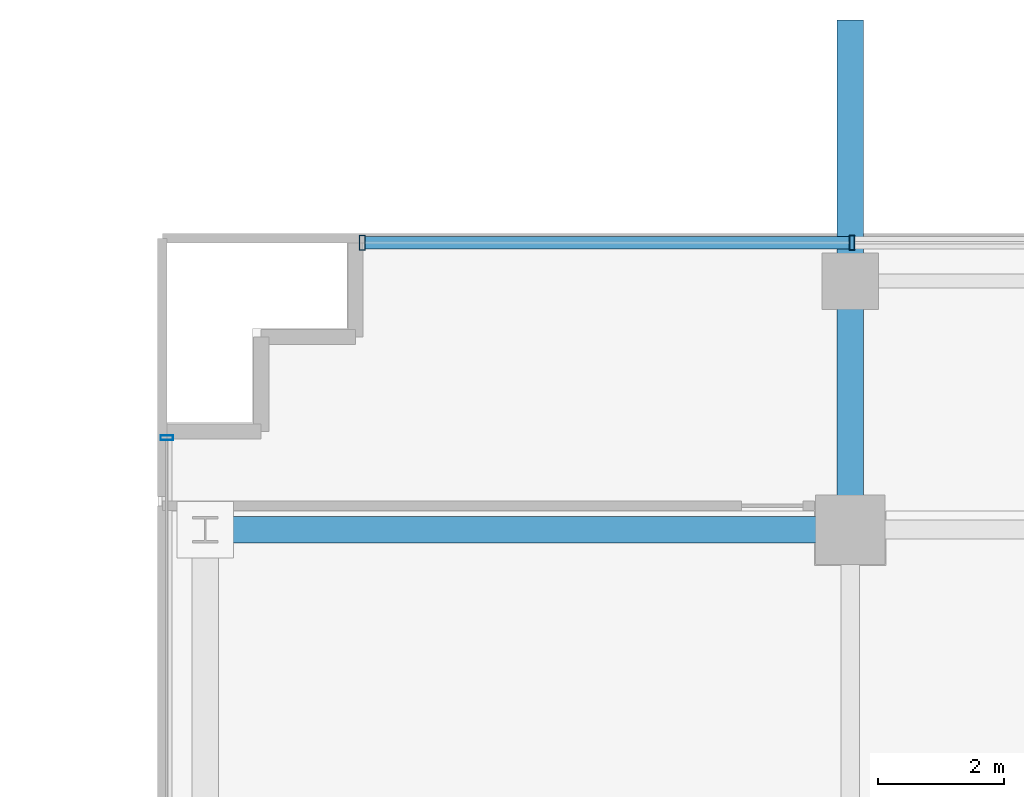
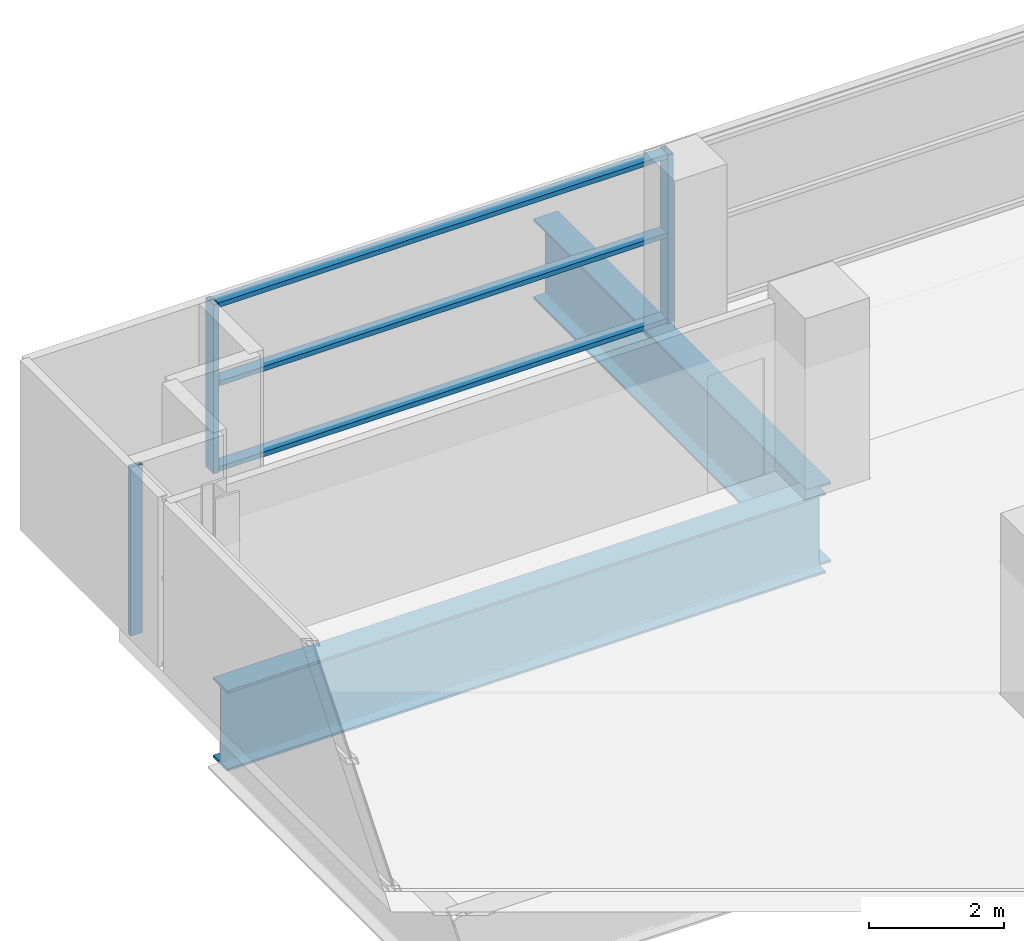
# One storey, part 17 of 32: 6 members, 2 beams, 2 elements without a shape of their own.
"""IFC4 building model written with IfcOpenShell, lengths in metres."""

from ifc_helpers import new_model, si_unit, direction, frame, origin, origin_2d, place, context, subcontext, project, spatial, hollow_rectangle, i_section, extrude, source, transform, mapped, material, layer, layer_set, material_profile, profile_set, type_object, element, aggregate, save


model = new_model("IFC4")

# Units and contexts
model_context = context("Model", 3, precision=1e-05, world=origin(), true_north=direction((0.0, 1.0)))
body_context = subcontext(model_context, "Body", "Model", "MODEL_VIEW")
ifc_project = project(units=[si_unit("LENGTHUNIT", "METRE"), si_unit("AREAUNIT", "SQUARE_METRE"), si_unit("VOLUMEUNIT", "CUBIC_METRE"), si_unit("PLANEANGLEUNIT", "RADIAN"), si_unit("MASSUNIT", "GRAM", prefix="KILO")], contexts=[model_context])

# Site, building, storey
site_placement = place(None, origin())
site = spatial("IfcSite", under=ifc_project, at=site_placement, CompositionType="ELEMENT")
building_placement = place(site_placement, origin())
building = spatial("IfcBuilding", under=site, at=building_placement, Name="Zarnakvel Exchange Tower", CompositionType="ELEMENT")
storey_placement = place(building_placement, frame((0.0, 0.0, 27.39990234375)))
storey = spatial("IfcBuildingStorey", under=building, at=storey_placement, Name="L06", CompositionType="ELEMENT", Elevation=27.39990234375)

# Beams
ifc_material_1 = material(Name="Steel S460", Category="steel")
ifc_material_profile_1 = material_profile(ifc_material_1, i_section(OverallWidth=0.419921875, OverallDepth=1.449951171875, WebThickness=0.02392578125, FlangeThickness=0.0400390625, FilletRadius=0.030029296875, at=origin_2d()))
ifc_profile_set_1 = profile_set([ifc_material_profile_1], Name="Steel S460")
beam_type = type_object("IfcBeamType", Name="TG-01", PredefinedType="BEAM", material=ifc_profile_set_1)
beam_1_placement = place(storey_placement, frame((-31.85009765625, 13.5, -0.974853515625), z_axis=(1.0, 0.0, 0.0), x_axis=(0.0, 1.0, 0.0)))
element("IfcBeam", 1, at=beam_1_placement, inside=storey, type_object=beam_type, Name="L06 Wing Continuous Transfer Girder West", PredefinedType="BEAM", context=body_context, shape_type="SweptSolid", body=[
    extrude(i_section(OverallWidth=0.419921875, OverallDepth=1.449951171875, WebThickness=0.02392578125, FlangeThickness=0.0400390625, FilletRadius=0.030029296875, at=origin_2d()), origin(), (0.0, 0.0, 1.0), 10.25),
])
beam_2_placement = place(storey_placement, frame((-21.60009765625, 13.5, -0.974853515625), z_axis=(0.0, 1.0, 0.0), x_axis=(-1.0, 0.0, 0.0)))
element("IfcBeam", 2, at=beam_2_placement, inside=storey, type_object=beam_type, Name="L06 Setback N-S Transfer Girder TN-3", PredefinedType="BEAM", context=body_context, shape_type="SweptSolid", body=[
    extrude(i_section(OverallWidth=0.419921875, OverallDepth=1.449951171875, WebThickness=0.02392578125, FlangeThickness=0.0400390625, FilletRadius=0.030029296875, at=origin_2d()), origin(), (0.0, 0.0, 1.0), 8.10009765625),
])

# Curtain wall, members
ifc_material_2 = material(Name="Architectural Bronze Anodised Aluminium", Category="aluminium")
ifc_layer_1 = layer(ifc_material_2, 0.239990234375)
ifc_layer_set_1 = layer_set([ifc_layer_1], Name="Architectural Bronze Anodised Aluminium")
curtain_wall_type_1 = type_object("IfcCurtainWallType", Name="CW-02", PredefinedType="NOTDEFINED", material=ifc_layer_set_1)
curtain_wall_1_placement = place(storey_placement, origin())
curtain_wall_1 = element("IfcCurtainWall", 3, at=curtain_wall_1_placement, inside=storey, type_object=curtain_wall_type_1, Name="L06 Curtain Wall CW-L06-N1 (CW-02)", PredefinedType="NOTDEFINED")
ifc_material_profile_2 = material_profile(ifc_material_2, hollow_rectangle(XDim=0.239990234375, YDim=0.090087890625, WallThickness=0.006103515625, at=origin_2d()))
ifc_profile_set_2 = profile_set([ifc_material_profile_2], Name="Architectural Bronze Anodised Aluminium")
member_type_1 = type_object("IfcMemberType", Name="CWM-02", PredefinedType="MULLION", material=ifc_profile_set_2)
shared_shape_1 = source(origin(), body_context, "Body", "SweptSolid", [
    extrude(hollow_rectangle(XDim=0.239990234375, YDim=0.090087890625, WallThickness=0.006103515625, at=origin_2d()), origin(), (0.0, 0.0, 1.0), 3.05517578125),
])
member_1_placement = place(storey_placement, frame((-29.35498046875, 18.06005859375, 0.0), z_axis=(0.0, 0.0, 1.0), x_axis=(0.0, 1.0, 0.0)))
member_1 = element("IfcMember", 4, at=member_1_placement, type_object=member_type_1, Name="CW-02 mullion 1", PredefinedType="MULLION", context=body_context, shape_type="MappedRepresentation", body=[
    mapped(shared_shape_1, transform((0.0, 0.0, 0.0), x_axis=(1.0, 0.0, 0.0), y_axis=(0.0, 1.0, 0.0), z_axis=(0.0, 0.0, 1.0), scale=1.0)),
])
member_2_placement = place(storey_placement, frame((-21.571533203125, 18.06005859375, 0.0), z_axis=(0.0, 0.0, 1.0), x_axis=(0.0, 1.0, 0.0)))
member_2 = element("IfcMember", 5, at=member_2_placement, type_object=member_type_1, Name="CW-02 mullion 2", PredefinedType="MULLION", context=body_context, shape_type="MappedRepresentation", body=[
    mapped(shared_shape_1, transform((0.0, 0.0, 0.0), x_axis=(1.0, 0.0, 0.0), y_axis=(0.0, 1.0, 0.0), z_axis=(0.0, 0.0, 1.0), scale=1.0)),
])
ifc_material_profile_3 = material_profile(ifc_material_2, hollow_rectangle(XDim=0.199951171875, YDim=0.0849609375, WallThickness=0.0048828125, at=origin_2d()))
ifc_profile_set_3 = profile_set([ifc_material_profile_3], Name="Architectural Bronze Anodised Aluminium")
member_type_2 = type_object("IfcMemberType", Name="CWT-02", PredefinedType="USERDEFINED", material=ifc_profile_set_3)
shared_shape_2 = source(origin(), body_context, "Body", "SweptSolid", [
    extrude(hollow_rectangle(XDim=0.199951171875, YDim=0.0849609375, WallThickness=0.0048828125, at=origin_2d()), origin(), (0.0, 0.0, 1.0), 7.693603515625),
])
member_3_placement = place(storey_placement, frame((-29.31005859375, 18.06005859375, 0.04248046875), z_axis=(1.0, 0.0, 0.0), x_axis=(0.0, 1.0, 0.0)))
member_3 = element("IfcMember", 6, at=member_3_placement, type_object=member_type_2, Name="CW-02 transom 1.1", ObjectType="TRANSOM", PredefinedType="USERDEFINED", context=body_context, shape_type="MappedRepresentation", body=[
    mapped(shared_shape_2, transform((0.0, 0.0, 0.0), x_axis=(1.0, 0.0, 0.0), y_axis=(0.0, 1.0, 0.0), z_axis=(0.0, 0.0, 1.0), scale=1.0)),
])
member_4_placement = place(storey_placement, frame((-29.31005859375, 18.06005859375, 1.588623046875), z_axis=(1.0, 0.0, 0.0), x_axis=(0.0, 1.0, 0.0)))
member_4 = element("IfcMember", 7, at=member_4_placement, type_object=member_type_2, Name="CW-02 transom 1.2", ObjectType="TRANSOM", PredefinedType="USERDEFINED", context=body_context, shape_type="MappedRepresentation", body=[
    mapped(shared_shape_2, transform((0.0, 0.0, 0.0), x_axis=(1.0, 0.0, 0.0), y_axis=(0.0, 1.0, 0.0), z_axis=(0.0, 0.0, 1.0), scale=1.0)),
])
member_5_placement = place(storey_placement, frame((-29.31005859375, 18.06005859375, 3.0126953125), z_axis=(1.0, 0.0, 0.0), x_axis=(0.0, 1.0, 0.0)))
member_5 = element("IfcMember", 8, at=member_5_placement, type_object=member_type_2, Name="CW-02 transom 1.3", ObjectType="TRANSOM", PredefinedType="USERDEFINED", context=body_context, shape_type="MappedRepresentation", body=[
    mapped(shared_shape_2, transform((0.0, 0.0, 0.0), x_axis=(1.0, 0.0, 0.0), y_axis=(0.0, 1.0, 0.0), z_axis=(0.0, 0.0, 1.0), scale=1.0)),
])
aggregate(curtain_wall_1, [member_1, member_2, member_3, member_4, member_5])

# Curtain wall, member
ifc_layer_2 = layer(ifc_material_2, 0.199951171875)
ifc_layer_set_2 = layer_set([ifc_layer_2], Name="Architectural Bronze Anodised Aluminium")
curtain_wall_type_2 = type_object("IfcCurtainWallType", Name="CW-04", PredefinedType="NOTDEFINED", material=ifc_layer_set_2)
curtain_wall_2_placement = place(storey_placement, origin())
curtain_wall_2 = element("IfcCurtainWall", 9, at=curtain_wall_2_placement, inside=storey, type_object=curtain_wall_type_2, Name="L06 Curtain Wall CW-L06-WN (CW-04)", PredefinedType="NOTDEFINED")
ifc_material_profile_4 = material_profile(ifc_material_2, hollow_rectangle(XDim=0.199951171875, YDim=0.074951171875, WallThickness=0.0048828125, at=origin_2d()))
ifc_profile_set_4 = profile_set([ifc_material_profile_4], Name="Architectural Bronze Anodised Aluminium")
member_type_3 = type_object("IfcMemberType", Name="CWM-04", PredefinedType="MULLION", material=ifc_profile_set_4)
shared_shape_3 = source(origin(), body_context, "Body", "SweptSolid", [
    extrude(hollow_rectangle(XDim=0.199951171875, YDim=0.074951171875, WallThickness=0.0048828125, at=origin_2d()), origin(), (0.0, 0.0, 1.0), 3.05517578125),
])
member_6_placement = place(storey_placement, frame((-32.4599609375, 14.96240234375, 0.0), z_axis=(0.0, 0.0, 1.0), x_axis=(-1.0, 0.0, 0.0)))
member_6 = element("IfcMember", 10, at=member_6_placement, type_object=member_type_3, Name="CW-04 mullion 3", PredefinedType="MULLION", context=body_context, shape_type="MappedRepresentation", body=[
    mapped(shared_shape_3, transform((0.0, 0.0, 0.0), x_axis=(1.0, 0.0, 0.0), y_axis=(0.0, 1.0, 0.0), z_axis=(0.0, 0.0, 1.0), scale=1.0)),
])
aggregate(curtain_wall_2, [member_6])

save(model, "model.ifc")
